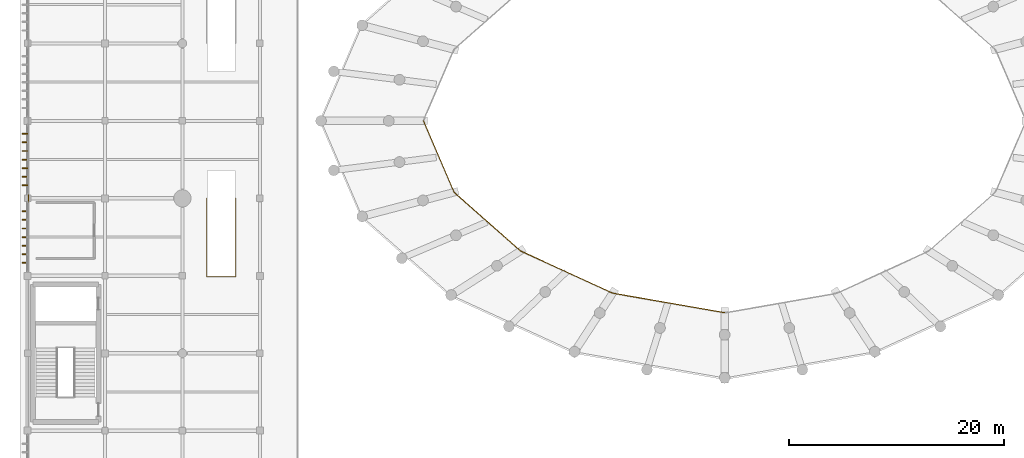
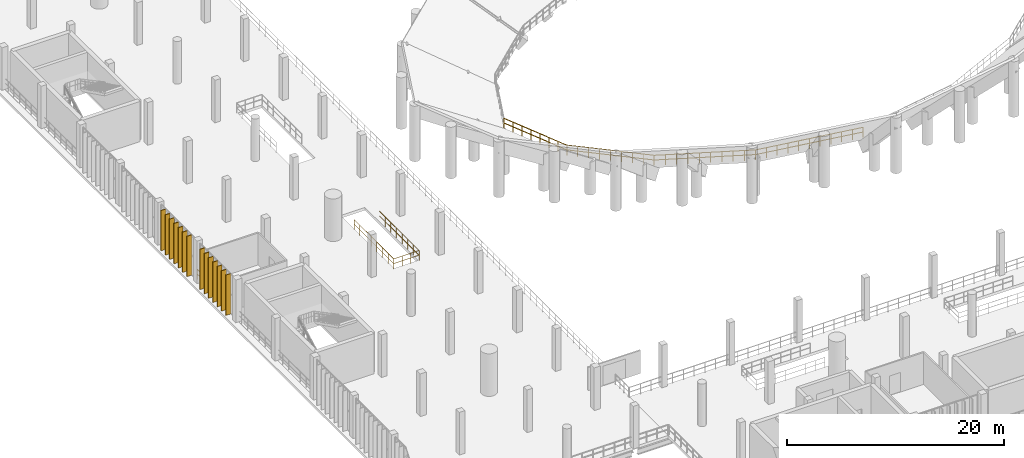
# One storey, part 92 of 105: 14 coverings, 6 railings.
"""IFC4 building model written with IfcOpenShell, lengths in metres."""

from ifc_helpers import new_model, si_unit, direction, frame, origin, origin_2d, place, context, subcontext, project, spatial, rectangle, circle, extrude, material, layer, layer_set, type_object, element, save


model = new_model("IFC4")

# Units and contexts
model_context = context("Model", 3, precision=1e-05, world=origin(), true_north=direction((0.0, 1.0)))
body_context = subcontext(model_context, "Body", "Model", "MODEL_VIEW")
ifc_project = project(units=[si_unit("LENGTHUNIT", "METRE"), si_unit("AREAUNIT", "SQUARE_METRE"), si_unit("VOLUMEUNIT", "CUBIC_METRE"), si_unit("PLANEANGLEUNIT", "RADIAN"), si_unit("MASSUNIT", "GRAM", prefix="KILO")], contexts=[model_context])

# Site, building, storey
site_placement = place(None, origin())
site = spatial("IfcSite", under=ifc_project, at=site_placement, CompositionType="ELEMENT")
building_placement = place(site_placement, origin())
building = spatial("IfcBuilding", under=site, at=building_placement, Name="Qandorah Velis Arena", CompositionType="ELEMENT")
storey_placement = place(building_placement, frame((0.0, 0.0, 13.800048828125)))
storey = spatial("IfcBuildingStorey", under=building, at=storey_placement, Name="L03", CompositionType="ELEMENT", Elevation=13.800048828125)

# Coverings
ifc_material_1 = material(Name="Champagne-bronze anodized aluminium 6063-T6", Category="aluminium")
ifc_layer = layer(ifc_material_1, 0.0849609375)
ifc_layer_set = layer_set([ifc_layer], Name="Champagne-bronze anodized aluminium 6063-T6")
covering_type = type_object("IfcCoveringType", Name="ARC-COV-FIN520", PredefinedType="CLADDING", material=ifc_layer_set)
for number, where, z_axis, x_axis, name in (
    (1, (-0.251953125, 51.60009765625, -0.01025390625), (0.0, 0.0, 1.0), (1.0, 0.0, 0.0), "Vertical champagne-bronze solar fin blade WNG-W-L03-07-001"),
    (2, (-0.251953125, 52.39990234375, -0.01025390625), (0.0, 0.0, 1.0), (1.0, 0.0, 0.0), "Vertical champagne-bronze solar fin blade WNG-W-L03-07-002"),
    (3, (-0.251953125, 53.199951171875, -0.01025390625), (0.0, 0.0, 1.0), (1.0, 0.0, 0.0), "Vertical champagne-bronze solar fin blade WNG-W-L03-07-003"),
    (4, (-0.251953125, 54.0, -0.01025390625), (0.0, 0.0, 1.0), (1.0, 0.0, 0.0), "Vertical champagne-bronze solar fin blade WNG-W-L03-07-004"),
    (5, (-0.251953125, 54.800048828125, -0.01025390625), (0.0, 0.0, 1.0), (1.0, 0.0, 0.0), "Vertical champagne-bronze solar fin blade WNG-W-L03-07-005"),
    (6, (-0.251953125, 55.60009765625, -0.01025390625), (0.0, 0.0, 1.0), (1.0, 0.0, 0.0), "Vertical champagne-bronze solar fin blade WNG-W-L03-07-006"),
    (7, (-0.251953125, 56.39990234375, -0.01025390625), (0.0, 0.0, 1.0), (1.0, 0.0, 0.0), "Vertical champagne-bronze solar fin blade WNG-W-L03-07-007"),
    (8, (-0.251953125, 58.800048828125, -0.01025390625), (0.0, 0.0, 1.0), (1.0, 0.0, 0.0), "Vertical champagne-bronze solar fin blade WNG-W-L03-08-001"),
    (9, (-0.251953125, 59.60009765625, -0.01025390625), (0.0, 0.0, 1.0), (1.0, 0.0, 0.0), "Vertical champagne-bronze solar fin blade WNG-W-L03-08-002"),
    (10, (-0.251953125, 60.39990234375, -0.01025390625), (0.0, 0.0, 1.0), (1.0, 0.0, 0.0), "Vertical champagne-bronze solar fin blade WNG-W-L03-08-003"),
    (11, (-0.251953125, 61.199951171875, -0.01025390625), (0.0, 0.0, 1.0), (1.0, 0.0, 0.0), "Vertical champagne-bronze solar fin blade WNG-W-L03-08-004"),
    (12, (-0.251953125, 62.0, -0.01025390625), (0.0, 0.0, 1.0), (1.0, 0.0, 0.0), "Vertical champagne-bronze solar fin blade WNG-W-L03-08-005"),
    (13, (-0.251953125, 62.800048828125, -0.01025390625), (0.0, 0.0, 1.0), (1.0, 0.0, 0.0), "Vertical champagne-bronze solar fin blade WNG-W-L03-08-006"),
    (14, (-0.251953125, 63.60009765625, -0.01025390625), (0.0, 0.0, 1.0), (1.0, 0.0, 0.0), "Vertical champagne-bronze solar fin blade WNG-W-L03-08-007"),
):
    element("IfcCovering", number, at=place(storey_placement, frame(where, z_axis=z_axis, x_axis=x_axis)), inside=storey, type_object=covering_type, Name=name, PredefinedType="CLADDING", context=body_context, shape_type="SweptSolid", body=[
        extrude(rectangle(XDim=0.52001953125, YDim=0.0849609375, at=origin_2d()), origin(), (0.0, 0.0, 1.0), 4.550048828125),
    ])

# Railings
ifc_material_2 = material(Name="Stainless steel 316", Category="steel")
railing_type = type_object("IfcRailingType", Name="ARC-RL-GRD1150", PredefinedType="GUARDRAIL", material=ifc_material_2)
railing_1_placement = place(storey_placement, frame((16.64990234375, 57.60009765625, 0.0)))
element("IfcRailing", 15, at=railing_1_placement, inside=storey, type_object=railing_type, Name="Vomitory VS15 top well guardrail (L03)", PredefinedType="GUARDRAIL", context=body_context, shape_type="SweptSolid", body=[
    extrude(circle(Radius=0.02392578125, at=origin_2d()), frame((0.0, 0.0, 1.1259765625), z_axis=(0.0, -1.0, 0.0), x_axis=(1.0, 0.0, 0.0)), (0.0, 0.0, 1.0), 7.300048828125),
    extrude(circle(Radius=0.02392578125, at=origin_2d()), frame((0.0, 0.0, 0.597900390625), z_axis=(0.0, -1.0, 0.0), x_axis=(1.0, 0.0, 0.0)), (0.0, 0.0, 1.0), 7.300048828125),
    extrude(circle(Radius=0.02392578125, at=origin_2d()), frame((0.0, -7.300048828125, 1.1259765625), z_axis=(1.0, 0.0, 0.0), x_axis=(0.0, 1.0, 0.0)), (0.0, 0.0, 1.0), 2.7001953125),
    extrude(circle(Radius=0.02392578125, at=origin_2d()), frame((0.0, -7.300048828125, 0.597900390625), z_axis=(1.0, 0.0, 0.0), x_axis=(0.0, 1.0, 0.0)), (0.0, 0.0, 1.0), 2.7001953125),
    extrude(circle(Radius=0.02392578125, at=origin_2d()), frame((2.7001953125, -7.300048828125, 1.1259765625), z_axis=(0.0, 1.0, 0.0), x_axis=(-1.0, 0.0, 0.0)), (0.0, 0.0, 1.0), 7.300048828125),
    extrude(circle(Radius=0.02392578125, at=origin_2d()), frame((2.7001953125, -7.300048828125, 0.597900390625), z_axis=(0.0, 1.0, 0.0), x_axis=(-1.0, 0.0, 0.0)), (0.0, 0.0, 1.0), 7.300048828125),
    extrude(circle(Radius=0.02099609375, at=origin_2d()), origin(), (0.0, 0.0, 1.0), 1.101806640625),
    extrude(circle(Radius=0.02099609375, at=origin_2d()), frame((0.0, -1.04296875, 0.0)), (0.0, 0.0, 1.0), 1.101806640625),
    extrude(circle(Radius=0.02099609375, at=origin_2d()), frame((0.0, -2.085693359375, 0.0)), (0.0, 0.0, 1.0), 1.101806640625),
    extrude(circle(Radius=0.02099609375, at=origin_2d()), frame((0.0, -3.128662109375, 0.0)), (0.0, 0.0, 1.0), 1.101806640625),
    extrude(circle(Radius=0.02099609375, at=origin_2d()), frame((0.0, -4.17138671875, 0.0)), (0.0, 0.0, 1.0), 1.101806640625),
    extrude(circle(Radius=0.02099609375, at=origin_2d()), frame((0.0, -5.21435546875, 0.0)), (0.0, 0.0, 1.0), 1.101806640625),
    extrude(circle(Radius=0.02099609375, at=origin_2d()), frame((0.0, -6.257080078125, 0.0)), (0.0, 0.0, 1.0), 1.101806640625),
    extrude(circle(Radius=0.02099609375, at=origin_2d()), frame((0.0, -7.300048828125, 0.0)), (0.0, 0.0, 1.0), 1.101806640625),
    extrude(circle(Radius=0.02099609375, at=origin_2d()), frame((0.900146484375, -7.300048828125, 0.0)), (0.0, 0.0, 1.0), 1.101806640625),
    extrude(circle(Radius=0.02099609375, at=origin_2d()), frame((1.800048828125, -7.300048828125, 0.0)), (0.0, 0.0, 1.0), 1.101806640625),
    extrude(circle(Radius=0.02099609375, at=origin_2d()), frame((2.7001953125, -7.300048828125, 0.0)), (0.0, 0.0, 1.0), 1.101806640625),
    extrude(circle(Radius=0.02099609375, at=origin_2d()), frame((2.7001953125, -6.257080078125, 0.0)), (0.0, 0.0, 1.0), 1.101806640625),
    extrude(circle(Radius=0.02099609375, at=origin_2d()), frame((2.7001953125, -5.21435546875, 0.0)), (0.0, 0.0, 1.0), 1.101806640625),
    extrude(circle(Radius=0.02099609375, at=origin_2d()), frame((2.7001953125, -4.17138671875, 0.0)), (0.0, 0.0, 1.0), 1.101806640625),
    extrude(circle(Radius=0.02099609375, at=origin_2d()), frame((2.7001953125, -3.128662109375, 0.0)), (0.0, 0.0, 1.0), 1.101806640625),
    extrude(circle(Radius=0.02099609375, at=origin_2d()), frame((2.7001953125, -2.085693359375, 0.0)), (0.0, 0.0, 1.0), 1.101806640625),
    extrude(circle(Radius=0.02099609375, at=origin_2d()), frame((2.7001953125, -1.04296875, 0.0)), (0.0, 0.0, 1.0), 1.101806640625),
    extrude(circle(Radius=0.02099609375, at=origin_2d()), frame((2.7001953125, 0.0, 0.0)), (0.0, 0.0, 1.0), 1.101806640625),
])
railing_2_placement = place(storey_placement, frame((36.800048828125, 64.800048828125, 0.0)))
element("IfcRailing", 16, at=railing_2_placement, inside=storey, type_object=railing_type, Name="Upper seating tier front sightline guardrail 09", PredefinedType="GUARDRAIL", context=body_context, shape_type="SweptSolid", body=[
    extrude(circle(Radius=0.02392578125, at=origin_2d()), frame((0.0, 0.0, 1.1259765625), z_axis=(0.395020901566, -0.91867213266, 0.0), x_axis=(0.91867213266, 0.395020901566, 0.0)), (0.0, 0.0, 1.0), 7.219970703125),
    extrude(circle(Radius=0.02392578125, at=origin_2d()), frame((0.0, 0.0, 0.597900390625), z_axis=(0.395020901566, -0.91867213266, 0.0), x_axis=(0.91867213266, 0.395020901566, 0.0)), (0.0, 0.0, 1.0), 7.219970703125),
    extrude(circle(Radius=0.02099609375, at=origin_2d()), origin(), (0.0, 0.0, 1.0), 1.101806640625),
    extrude(circle(Radius=0.02099609375, at=origin_2d()), frame((0.407470703125, -0.947509765625, 0.0)), (0.0, 0.0, 1.0), 1.101806640625),
    extrude(circle(Radius=0.02099609375, at=origin_2d()), frame((0.81494140625, -1.89501953125, 0.0)), (0.0, 0.0, 1.0), 1.101806640625),
    extrude(circle(Radius=0.02099609375, at=origin_2d()), frame((1.222412109375, -2.842529296875, 0.0)), (0.0, 0.0, 1.0), 1.101806640625),
    extrude(circle(Radius=0.02099609375, at=origin_2d()), frame((1.629638671875, -3.790283203125, 0.0)), (0.0, 0.0, 1.0), 1.101806640625),
    extrude(circle(Radius=0.02099609375, at=origin_2d()), frame((2.037109375, -4.73779296875, 0.0)), (0.0, 0.0, 1.0), 1.101806640625),
    extrude(circle(Radius=0.02099609375, at=origin_2d()), frame((2.444580078125, -5.685302734375, 0.0)), (0.0, 0.0, 1.0), 1.101806640625),
    extrude(circle(Radius=0.02099609375, at=origin_2d()), frame((2.85205078125, -6.6328125, 0.0)), (0.0, 0.0, 1.0), 1.101806640625),
])
railing_3_placement = place(storey_placement, frame((39.652099609375, 58.167236328125, 0.0)))
element("IfcRailing", 17, at=railing_3_placement, inside=storey, type_object=railing_type, Name="Upper seating tier front sightline guardrail 10", PredefinedType="GUARDRAIL", context=body_context, shape_type="SweptSolid", body=[
    extrude(circle(Radius=0.02392578125, at=origin_2d()), frame((0.0, 0.0, 1.1259765625), z_axis=(0.749434466685, -0.662078530195, 0.0), x_axis=(0.662078530195, 0.749434466685, 0.0)), (0.0, 0.0, 1.0), 8.2333984375),
    extrude(circle(Radius=0.02392578125, at=origin_2d()), frame((0.0, 0.0, 0.597900390625), z_axis=(0.749434466685, -0.662078530195, 0.0), x_axis=(0.662078530195, 0.749434466685, 0.0)), (0.0, 0.0, 1.0), 8.2333984375),
    extrude(circle(Radius=0.02099609375, at=origin_2d()), origin(), (0.0, 0.0, 1.0), 1.101806640625),
    extrude(circle(Radius=0.02099609375, at=origin_2d()), frame((0.771240234375, -0.681396484375, 0.0)), (0.0, 0.0, 1.0), 1.101806640625),
    extrude(circle(Radius=0.02099609375, at=origin_2d()), frame((1.54248046875, -1.36279296875, 0.0)), (0.0, 0.0, 1.0), 1.101806640625),
    extrude(circle(Radius=0.02099609375, at=origin_2d()), frame((2.31396484375, -2.044189453125, 0.0)), (0.0, 0.0, 1.0), 1.101806640625),
    extrude(circle(Radius=0.02099609375, at=origin_2d()), frame((3.085205078125, -2.7255859375, 0.0)), (0.0, 0.0, 1.0), 1.101806640625),
    extrude(circle(Radius=0.02099609375, at=origin_2d()), frame((3.8564453125, -3.406982421875, 0.0)), (0.0, 0.0, 1.0), 1.101806640625),
    extrude(circle(Radius=0.02099609375, at=origin_2d()), frame((4.6279296875, -4.08837890625, 0.0)), (0.0, 0.0, 1.0), 1.101806640625),
    extrude(circle(Radius=0.02099609375, at=origin_2d()), frame((5.399169921875, -4.769775390625, 0.0)), (0.0, 0.0, 1.0), 1.101806640625),
    extrude(circle(Radius=0.02099609375, at=origin_2d()), frame((6.17041015625, -5.451171875, 0.0)), (0.0, 0.0, 1.0), 1.101806640625),
])
railing_4_placement = place(storey_placement, frame((45.822509765625, 52.716064453125, 0.0)))
element("IfcRailing", 18, at=railing_4_placement, inside=storey, type_object=railing_type, Name="Upper seating tier front sightline guardrail 11", PredefinedType="GUARDRAIL", context=body_context, shape_type="SweptSolid", body=[
    extrude(circle(Radius=0.02392578125, at=origin_2d()), frame((0.0, 0.0, 1.1259765625), z_axis=(0.90885322528, -0.417116068856, 0.0), x_axis=(0.417116068856, 0.90885322528, 0.0)), (0.0, 0.0, 1.0), 9.41943359375),
    extrude(circle(Radius=0.02392578125, at=origin_2d()), frame((0.0, 0.0, 0.597900390625), z_axis=(0.90885322528, -0.417116068856, 0.0), x_axis=(0.417116068856, 0.90885322528, 0.0)), (0.0, 0.0, 1.0), 9.41943359375),
    extrude(circle(Radius=0.02099609375, at=origin_2d()), origin(), (0.0, 0.0, 1.0), 1.101806640625),
    extrude(circle(Radius=0.02099609375, at=origin_2d()), frame((0.951171875, -0.4365234375, 0.0)), (0.0, 0.0, 1.0), 1.101806640625),
    extrude(circle(Radius=0.02099609375, at=origin_2d()), frame((1.90234375, -0.873046875, 0.0)), (0.0, 0.0, 1.0), 1.101806640625),
    extrude(circle(Radius=0.02099609375, at=origin_2d()), frame((2.853515625, -1.3095703125, 0.0)), (0.0, 0.0, 1.0), 1.101806640625),
    extrude(circle(Radius=0.02099609375, at=origin_2d()), frame((3.8046875, -1.74609375, 0.0)), (0.0, 0.0, 1.0), 1.101806640625),
    extrude(circle(Radius=0.02099609375, at=origin_2d()), frame((4.756103515625, -2.182861328125, 0.0)), (0.0, 0.0, 1.0), 1.101806640625),
    extrude(circle(Radius=0.02099609375, at=origin_2d()), frame((5.707275390625, -2.619384765625, 0.0)), (0.0, 0.0, 1.0), 1.101806640625),
    extrude(circle(Radius=0.02099609375, at=origin_2d()), frame((6.658447265625, -3.055908203125, 0.0)), (0.0, 0.0, 1.0), 1.101806640625),
    extrude(circle(Radius=0.02099609375, at=origin_2d()), frame((7.609619140625, -3.492431640625, 0.0)), (0.0, 0.0, 1.0), 1.101806640625),
    extrude(circle(Radius=0.02099609375, at=origin_2d()), frame((8.560791015625, -3.928955078125, 0.0)), (0.0, 0.0, 1.0), 1.101806640625),
])
railing_5_placement = place(storey_placement, frame((54.38330078125, 48.787109375, 0.0)))
element("IfcRailing", 19, at=railing_5_placement, inside=storey, type_object=railing_type, Name="Upper seating tier front sightline guardrail 12", PredefinedType="GUARDRAIL", context=body_context, shape_type="SweptSolid", body=[
    extrude(circle(Radius=0.02392578125, at=origin_2d()), frame((0.0, 0.0, 1.1259765625), z_axis=(0.985138967518, -0.171759176398, 0.0), x_axis=(0.171759176398, 0.985138967518, 0.0)), (0.0, 0.0, 1.0), 10.573974609375),
    extrude(circle(Radius=0.02392578125, at=origin_2d()), frame((0.0, 0.0, 0.597900390625), z_axis=(0.985138967518, -0.171759176398, 0.0), x_axis=(0.171759176398, 0.985138967518, 0.0)), (0.0, 0.0, 1.0), 10.573974609375),
    extrude(circle(Radius=0.02099609375, at=origin_2d()), origin(), (0.0, 0.0, 1.0), 1.101806640625),
    extrude(circle(Radius=0.02099609375, at=origin_2d()), frame((1.041748046875, -0.181640625, 0.0)), (0.0, 0.0, 1.0), 1.101806640625),
    extrude(circle(Radius=0.02099609375, at=origin_2d()), frame((2.083251953125, -0.36328125, 0.0)), (0.0, 0.0, 1.0), 1.101806640625),
    extrude(circle(Radius=0.02099609375, at=origin_2d()), frame((3.125, -0.544921875, 0.0)), (0.0, 0.0, 1.0), 1.101806640625),
    extrude(circle(Radius=0.02099609375, at=origin_2d()), frame((4.166748046875, -0.7265625, 0.0)), (0.0, 0.0, 1.0), 1.101806640625),
    extrude(circle(Radius=0.02099609375, at=origin_2d()), frame((5.20849609375, -0.908203125, 0.0)), (0.0, 0.0, 1.0), 1.101806640625),
    extrude(circle(Radius=0.02099609375, at=origin_2d()), frame((6.25, -1.089599609375, 0.0)), (0.0, 0.0, 1.0), 1.101806640625),
    extrude(circle(Radius=0.02099609375, at=origin_2d()), frame((7.291748046875, -1.271240234375, 0.0)), (0.0, 0.0, 1.0), 1.101806640625),
    extrude(circle(Radius=0.02099609375, at=origin_2d()), frame((8.33349609375, -1.452880859375, 0.0)), (0.0, 0.0, 1.0), 1.101806640625),
    extrude(circle(Radius=0.02099609375, at=origin_2d()), frame((9.375, -1.634521484375, 0.0)), (0.0, 0.0, 1.0), 1.101806640625),
    extrude(circle(Radius=0.02099609375, at=origin_2d()), frame((10.416748046875, -1.816162109375, 0.0)), (0.0, 0.0, 1.0), 1.101806640625),
])
railing_6_placement = place(storey_placement, frame((0.10009765625, 57.27490234375, 0.0)))
element("IfcRailing", 20, at=railing_6_placement, inside=storey, type_object=railing_type, Name="Slab edge safety guardrail L03-175", PredefinedType="GUARDRAIL", context=body_context, shape_type="SweptSolid", body=[
    extrude(circle(Radius=0.02392578125, at=origin_2d()), frame((0.0, 0.0, 1.1259765625), z_axis=(0.0, 1.0, 0.0), x_axis=(-1.0, 0.0, 0.0)), (0.0, 0.0, 1.0), 0.650146484375),
    extrude(circle(Radius=0.02392578125, at=origin_2d()), frame((0.0, 0.0, 0.597900390625), z_axis=(0.0, 1.0, 0.0), x_axis=(-1.0, 0.0, 0.0)), (0.0, 0.0, 1.0), 0.650146484375),
    extrude(circle(Radius=0.02099609375, at=origin_2d()), origin(), (0.0, 0.0, 1.0), 1.101806640625),
    extrude(circle(Radius=0.02099609375, at=origin_2d()), frame((0.0, 0.650146484375, 0.0)), (0.0, 0.0, 1.0), 1.101806640625),
])

save(model, "model.ifc")
